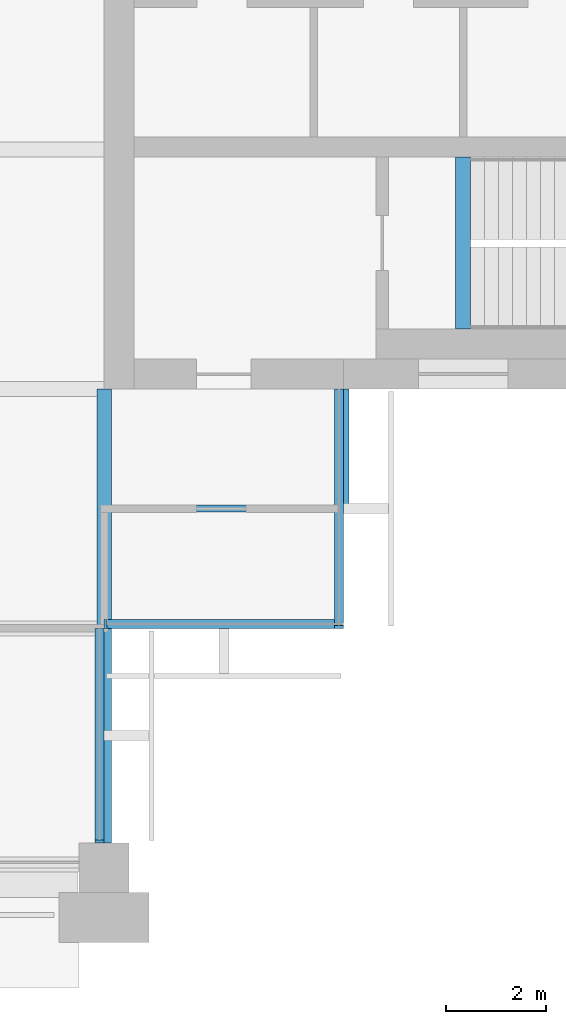
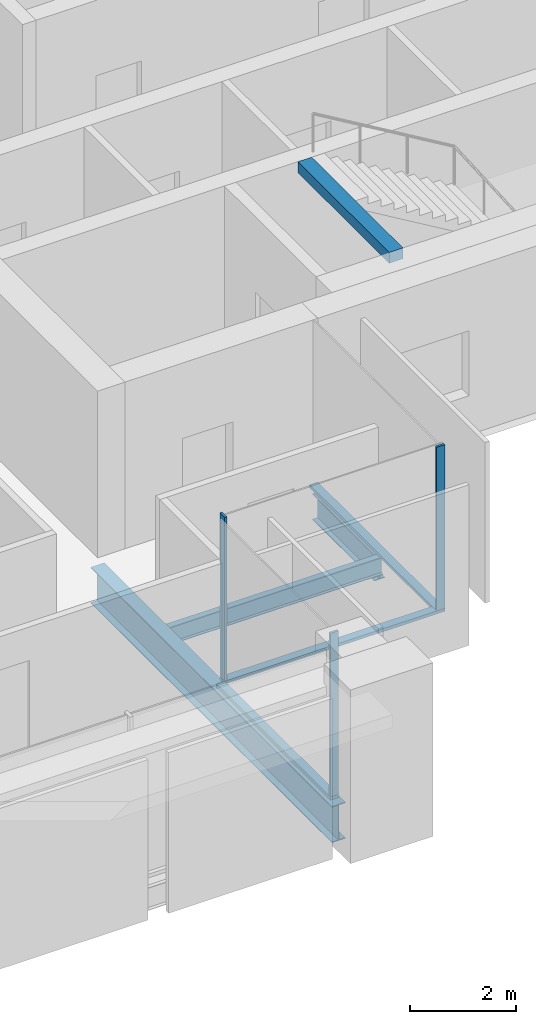
# One storey, part 4 of 13: 6 members, 4 beams, 3 elements without a shape of their own.
"""IFC4 building model written with IfcOpenShell, lengths in metres."""

from ifc_helpers import new_model, si_unit, direction, frame, origin, origin_2d, place, context, subcontext, project, spatial, rectangle, i_section, extrude, material, material_profile, profile_set, type_object, element, aggregate, save


model = new_model("IFC4")

# Units and contexts
model_context = context("Model", 3, precision=1e-05, world=origin(), true_north=direction((0.0, 1.0)))
body_context = subcontext(model_context, "Body", "Model", "MODEL_VIEW")
ifc_project = project(units=[si_unit("LENGTHUNIT", "METRE"), si_unit("AREAUNIT", "SQUARE_METRE"), si_unit("VOLUMEUNIT", "CUBIC_METRE"), si_unit("PLANEANGLEUNIT", "RADIAN"), si_unit("MASSUNIT", "GRAM", prefix="KILO")], contexts=[model_context])

# Site, building, storey
site_placement = place(None, origin())
site = spatial("IfcSite", under=ifc_project, at=site_placement, CompositionType="ELEMENT")
building_placement = place(site_placement, origin())
building = spatial("IfcBuilding", under=site, at=building_placement, Name="Baori Bourse Tower", CompositionType="ELEMENT")
storey_placement = place(building_placement, frame((0.0, 0.0, 338.300048828125)))
storey = spatial("IfcBuildingStorey", under=building, at=storey_placement, Name="L75", CompositionType="ELEMENT", Elevation=338.300048828125)

# Curtain wall, member
ifc_material_1 = material(Name="Pale anodised aluminium", Category="aluminium")
curtain_wall_type = type_object("IfcCurtainWallType", Name="CW2 Curtain wall", PredefinedType="NOTDEFINED", material=ifc_material_1)
curtain_wall_1_placement = place(storey_placement, origin())
curtain_wall_1 = element("IfcCurtainWall", 1, at=curtain_wall_1_placement, inside=storey, type_object=curtain_wall_type, Name="Curtain wall CW2 L75 16", PredefinedType="NOTDEFINED")
ifc_material_2 = material(Name="Pale anodised aluminium", Category="aluminium")
ifc_material_profile_1 = material_profile(ifc_material_2, rectangle(XDim=0.179931640625, YDim=0.054931640625, at=origin_2d()), Name="Mullion 55x180")
ifc_profile_set_1 = profile_set([ifc_material_profile_1], Name="Pale anodised aluminium")
member_type_1 = type_object("IfcMemberType", Name="CW2 Curtain wall mullion", PredefinedType="MULLION", material=ifc_profile_set_1)
member_1_placement = place(storey_placement, frame((38.31005859375, 0.527587890625, 0.070068359375), z_axis=(0.0, 0.0, 1.0), x_axis=(-1.0, 0.0, 0.0)))
member_1 = element("IfcMember", 2, at=member_1_placement, type_object=member_type_1, Name="Curtain wall CW2 mullion", PredefinedType="MULLION", context=body_context, shape_type="SweptSolid", body=[
    extrude(rectangle(XDim=0.179931640625, YDim=0.054931640625, at=origin_2d()), origin(), (0.0, 0.0, 1.0), 3.769775390625),
])

curtain_wall_2_placement = place(storey_placement, origin())
curtain_wall_2 = element("IfcCurtainWall", 3, at=curtain_wall_2_placement, inside=storey, type_object=curtain_wall_type, Name="Curtain wall CW2 L75 17", PredefinedType="NOTDEFINED")
member_2_placement = place(storey_placement, frame((38.427490234375, 4.889892578125, 0.070068359375), z_axis=(0.0, 0.0, 1.0), x_axis=(0.0, 1.0, 0.0)))
member_2 = element("IfcMember", 4, at=member_2_placement, type_object=member_type_1, Name="Curtain wall CW2 mullion", PredefinedType="MULLION", context=body_context, shape_type="SweptSolid", body=[
    extrude(rectangle(XDim=0.179931640625, YDim=0.054931640625, at=origin_2d()), origin(), (0.0, 0.0, 1.0), 3.769775390625),
])

curtain_wall_3_placement = place(storey_placement, origin())
curtain_wall_3 = element("IfcCurtainWall", 5, at=curtain_wall_3_placement, inside=storey, type_object=curtain_wall_type, Name="Curtain wall CW2 L75 18", PredefinedType="NOTDEFINED")
member_3_placement = place(storey_placement, frame((43.110107421875, 4.827392578125, 0.070068359375), z_axis=(0.0, 0.0, 1.0), x_axis=(-1.0, 0.0, 0.0)))
member_3 = element("IfcMember", 6, at=member_3_placement, type_object=member_type_1, Name="Curtain wall CW2 mullion", PredefinedType="MULLION", context=body_context, shape_type="SweptSolid", body=[
    extrude(rectangle(XDim=0.179931640625, YDim=0.054931640625, at=origin_2d()), origin(), (0.0, 0.0, 1.0), 3.769775390625),
])

# Member
ifc_material_3 = material(Name="Pale anodised aluminium", Category="aluminium")
ifc_material_profile_2 = material_profile(ifc_material_3, rectangle(XDim=0.179931640625, YDim=0.070068359375, at=origin_2d()), Name="Transom 70x180")
ifc_profile_set_2 = profile_set([ifc_material_profile_2], Name="Pale anodised aluminium")
member_type_2 = type_object("IfcMemberType", Name="CW2 Curtain wall transom", PredefinedType="USERDEFINED", material=ifc_profile_set_2)
member_4_placement = place(storey_placement, frame((38.31005859375, 0.5, 0.034912109375), z_axis=(0.0, 1.0, 0.0), x_axis=(-1.0, 0.0, 0.0)))
member_4 = element("IfcMember", 7, at=member_4_placement, type_object=member_type_2, Name="Curtain wall CW2 sill rail", ObjectType="TRANSOM", PredefinedType="USERDEFINED", context=body_context, shape_type="SweptSolid", body=[
    extrude(rectangle(XDim=0.179931640625, YDim=0.070068359375, at=origin_2d()), origin(), (0.0, 0.0, 1.0), 4.300048828125),
])

aggregate(curtain_wall_1, [member_4, member_1])

member_5_placement = place(storey_placement, frame((38.39990234375, 4.889892578125, 0.034912109375), z_axis=(1.0, 0.0, 0.0), x_axis=(0.0, 1.0, 0.0)))
member_5 = element("IfcMember", 8, at=member_5_placement, type_object=member_type_2, Name="Curtain wall CW2 sill rail", ObjectType="TRANSOM", PredefinedType="USERDEFINED", context=body_context, shape_type="SweptSolid", body=[
    extrude(rectangle(XDim=0.179931640625, YDim=0.070068359375, at=origin_2d()), origin(), (0.0, 0.0, 1.0), 4.800048828125),
])

aggregate(curtain_wall_2, [member_5, member_2])

member_6_placement = place(storey_placement, frame((43.110107421875, 4.800048828125, 0.034912109375), z_axis=(0.0, 1.0, 0.0), x_axis=(-1.0, 0.0, 0.0)))
member_6 = element("IfcMember", 9, at=member_6_placement, type_object=member_type_2, Name="Curtain wall CW2 sill rail", ObjectType="TRANSOM", PredefinedType="USERDEFINED", context=body_context, shape_type="SweptSolid", body=[
    extrude(rectangle(XDim=0.179931640625, YDim=0.070068359375, at=origin_2d()), origin(), (0.0, 0.0, 1.0), 4.800048828125),
])

aggregate(curtain_wall_3, [member_6, member_3])

# Beams
ifc_material_4 = material(Name="Steel A992 Gr 50", Category="steel")
ifc_material_profile_3 = material_profile(ifc_material_4, i_section(OverallWidth=0.227783203125, OverallDepth=0.60205078125, WebThickness=0.010498046875, FlangeThickness=0.014892578125, at=origin_2d()), Name="W24x68")
ifc_profile_set_3 = profile_set([ifc_material_profile_3], Name="Steel A992 Gr 50")
beam_type_1 = type_object("IfcBeamType", Name="Core bracket W24x68", PredefinedType="BEAM", material=ifc_profile_set_3)
beam_1_placement = place(storey_placement, frame((43.199951171875, 7.270263671875, -0.4609375), z_axis=(0.0, 1.0, 0.0), x_axis=(-1.0, 0.0, 0.0)))
element("IfcBeam", 10, at=beam_1_placement, inside=storey, type_object=beam_type_1, Name="Core bracket L75", PredefinedType="BEAM", context=body_context, shape_type="SweptSolid", body=[
    extrude(i_section(OverallWidth=0.227783203125, OverallDepth=0.60205078125, WebThickness=0.010498046875, FlangeThickness=0.014892578125, at=origin_2d()), origin(), (0.0, 0.0, 1.0), 2.329833984375),
])
ifc_material_5 = material(Name="Steel A992 Gr 50", Category="steel")
ifc_material_profile_4 = material_profile(ifc_material_5, i_section(OverallWidth=0.2919921875, OverallDepth=0.835693359375, WebThickness=0.013916015625, FlangeThickness=0.018798828125, at=origin_2d()), Name="W33x118")
ifc_profile_set_4 = profile_set([ifc_material_profile_4], Name="Steel A992 Gr 50")
beam_type_2 = type_object("IfcBeamType", Name="Girder W33x118", PredefinedType="BEAM", material=ifc_profile_set_4)
beam_2_placement = place(storey_placement, frame((38.39990234375, 0.5, -0.577880859375), z_axis=(0.0, 1.0, 0.0), x_axis=(-1.0, 0.0, 0.0)))
element("IfcBeam", 11, at=beam_2_placement, inside=storey, type_object=beam_type_2, Name="Girder L75", PredefinedType="BEAM", context=body_context, shape_type="SweptSolid", body=[
    extrude(i_section(OverallWidth=0.2919921875, OverallDepth=0.835693359375, WebThickness=0.013916015625, FlangeThickness=0.018798828125, at=origin_2d()), origin(), (0.0, 0.0, 1.0), 9.10009765625),
])
ifc_material_6 = material(Name="Concrete f'c 50 MPa", Category="concrete")
ifc_material_profile_5 = material_profile(ifc_material_6, rectangle(XDim=0.300048828125, YDim=0.25, at=origin_2d()), Name="RC 300x250")
ifc_profile_set_5 = profile_set([ifc_material_profile_5], Name="Concrete f'c 50 MPa")
beam_type_3 = type_object("IfcBeamType", Name="Stair nib beam RC 300x250", PredefinedType="BEAM", material=ifc_profile_set_5)
beam_3_placement = place(storey_placement, frame((45.60009765625, 10.800048828125, 3.71484375), z_axis=(0.0, 1.0, 0.0), x_axis=(-1.0, 0.0, 0.0)))
element("IfcBeam", 12, at=beam_3_placement, inside=storey, type_object=beam_type_3, Name="Stair EA nib beam L76", PredefinedType="BEAM", context=body_context, shape_type="SweptSolid", body=[
    extrude(rectangle(XDim=0.300048828125, YDim=0.25, at=origin_2d()), origin(), (0.0, 0.0, 1.0), 3.449951171875),
])
ifc_material_7 = material(Name="Steel A992 Gr 50", Category="steel")
ifc_material_profile_6 = material_profile(ifc_material_7, i_section(OverallWidth=0.140380859375, OverallDepth=0.40380859375, WebThickness=0.007080078125, FlangeThickness=0.01123046875, at=origin_2d()), Name="W16x31")
ifc_profile_set_6 = profile_set([ifc_material_profile_6], Name="Steel A992 Gr 50")
beam_type_4 = type_object("IfcBeamType", Name="Trimmer beam W16x31", PredefinedType="BEAM", material=ifc_profile_set_6)
beam_4_placement = place(storey_placement, frame((38.546142578125, 7.199951171875, -0.362060546875), z_axis=(1.0, 0.0, 0.0), x_axis=(0.0, 1.0, 0.0)))
element("IfcBeam", 13, at=beam_4_placement, inside=storey, type_object=beam_type_4, Name="Trimmer beam L75", PredefinedType="BEAM", context=body_context, shape_type="SweptSolid", body=[
    extrude(i_section(OverallWidth=0.140380859375, OverallDepth=0.40380859375, WebThickness=0.007080078125, FlangeThickness=0.01123046875, at=origin_2d()), origin(), (0.0, 0.0, 1.0), 4.65380859375),
])

save(model, "model.ifc")
